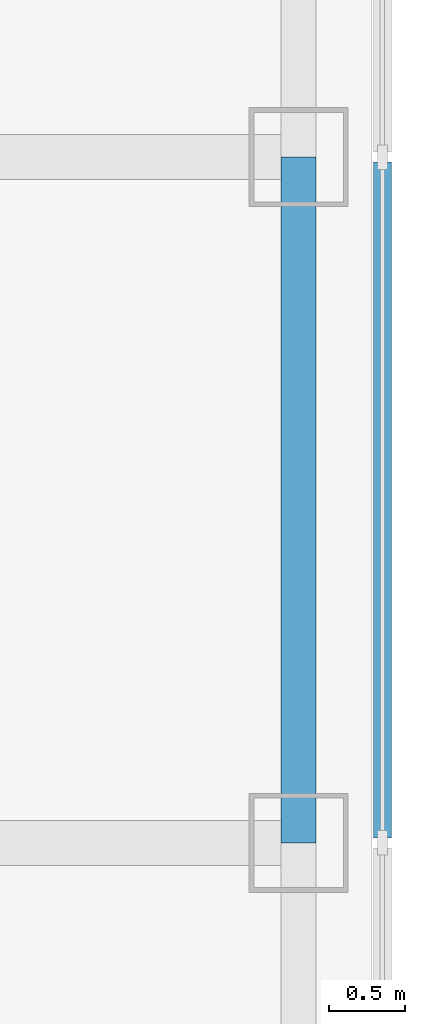
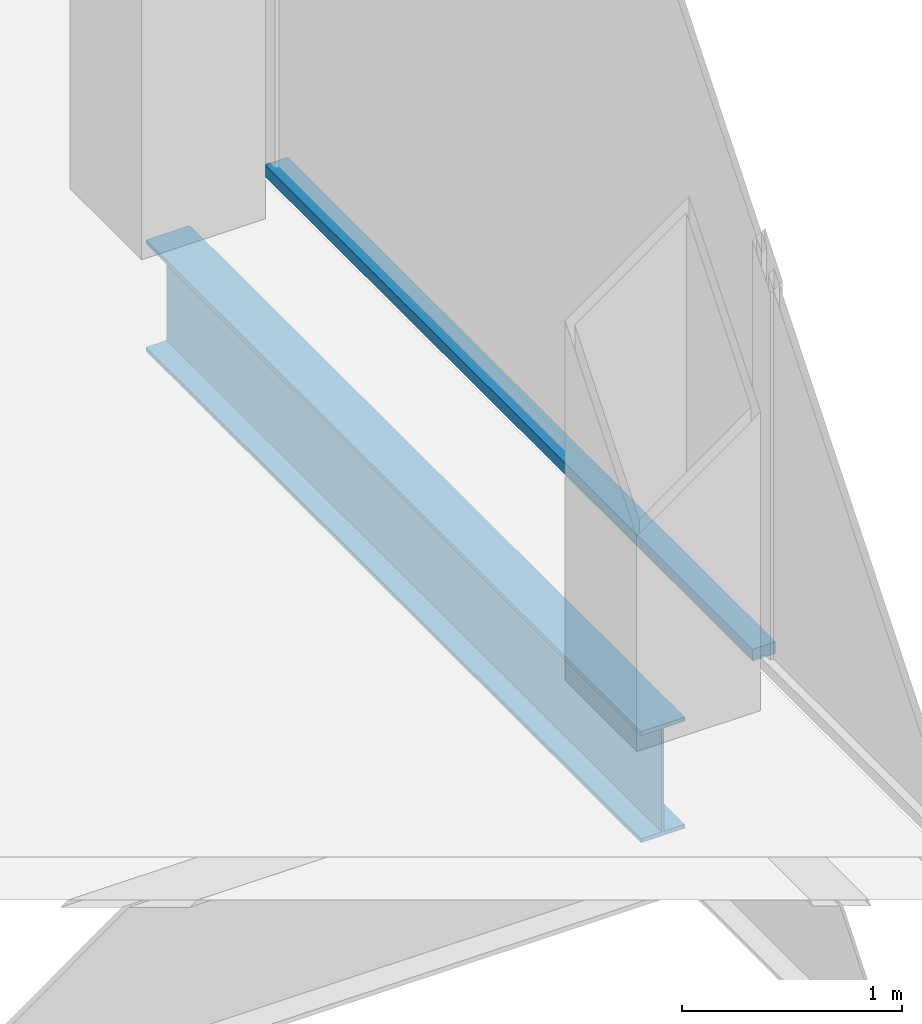
# One storey, part 5 of 14: 1 beam, 1 member, 1 element without a shape of its own.
"""IFC4 building model written with IfcOpenShell, lengths in metres."""

from ifc_helpers import new_model, si_unit, direction, frame, origin, origin_2d, place, context, subcontext, project, spatial, rectangle, i_section, extrude, material, material_profile, profile_set, type_object, element, aggregate, save


model = new_model("IFC4")

# Units and contexts
model_context = context("Model", 3, precision=1e-05, world=origin(), true_north=direction((0.0, 1.0)))
body_context = subcontext(model_context, "Body", "Model", "MODEL_VIEW")
ifc_project = project(units=[si_unit("LENGTHUNIT", "METRE"), si_unit("AREAUNIT", "SQUARE_METRE"), si_unit("VOLUMEUNIT", "CUBIC_METRE"), si_unit("PLANEANGLEUNIT", "RADIAN"), si_unit("MASSUNIT", "GRAM", prefix="KILO")], contexts=[model_context])

# Site, building, storey
site_placement = place(None, origin())
site = spatial("IfcSite", under=ifc_project, at=site_placement, CompositionType="ELEMENT")
building_placement = place(site_placement, origin())
building = spatial("IfcBuilding", under=site, at=building_placement, Name="Corais Broadcast Tower", CompositionType="ELEMENT")
storey_placement = place(building_placement, frame((0.0, 0.0, 254.60009765625)))
storey = spatial("IfcBuildingStorey", under=building, at=storey_placement, Name="L59", CompositionType="ELEMENT", Elevation=254.60009765625)

# Beam
ifc_material_1 = material(Name="Steel ASTM A572 Grade 50", Category="steel")
ifc_material_profile_1 = material_profile(ifc_material_1, i_section(OverallWidth=0.22998046875, OverallDepth=0.616943359375, WebThickness=0.01318359375, FlangeThickness=0.022216796875, at=origin_2d()), Name="W610x140")
ifc_profile_set_1 = profile_set([ifc_material_profile_1], Name="Steel ASTM A572 Grade 50")
beam_type = type_object("IfcBeamType", Name="Spandrel W610x140", PredefinedType="BEAM", material=ifc_profile_set_1)
beam_placement = place(storey_placement, frame((54.0, 27.0, -0.468505859375), z_axis=(0.0, 1.0, 0.0), x_axis=(-1.0, 0.0, 0.0)))
element("IfcBeam", 1, at=beam_placement, inside=storey, type_object=beam_type, Name="SB3 G/15 to H/15", PredefinedType="BEAM", context=body_context, shape_type="SweptSolid", body=[
    extrude(i_section(OverallWidth=0.22998046875, OverallDepth=0.616943359375, WebThickness=0.01318359375, FlangeThickness=0.022216796875, at=origin_2d()), origin(), (0.0, 0.0, 1.0), 4.5),
])

# Curtain wall, member
ifc_material_2 = material(Name="Aluminium and glass", Category="aluminium")
curtain_wall_type = type_object("IfcCurtainWallType", Name="Unitised fritted curtain wall CW3", PredefinedType="NOTDEFINED", material=ifc_material_2)
curtain_wall_placement = place(storey_placement, origin())
curtain_wall = element("IfcCurtainWall", 2, at=curtain_wall_placement, inside=storey, type_object=curtain_wall_type, Name="CW3 curtain wall L59 6", PredefinedType="NOTDEFINED")
ifc_material_3 = material(Name="Aluminium 6063-T6", Category="aluminium")
ifc_material_profile_2 = material_profile(ifc_material_3, rectangle(XDim=0.1201171875, YDim=0.06494140625, at=origin_2d()), Name="Transom CW3 65x120")
ifc_profile_set_2 = profile_set([ifc_material_profile_2], Name="Aluminium 6063-T6")
member_type = type_object("IfcMemberType", Name="Transom CW3 65x120", PredefinedType="USERDEFINED", material=ifc_profile_set_2)
member_placement = place(storey_placement, frame((54.550048828125, 31.467529296875, 0.032470703125), z_axis=(0.0, -1.0, 0.0), x_axis=(1.0, 0.0, 0.0)))
member = element("IfcMember", 3, at=member_placement, type_object=member_type, Name="CW3 transom 3.1", ObjectType="TRANSOM", PredefinedType="USERDEFINED", context=body_context, shape_type="SweptSolid", body=[
    extrude(rectangle(XDim=0.1201171875, YDim=0.06494140625, at=origin_2d()), origin(), (0.0, 0.0, 1.0), 4.43505859375),
])
aggregate(curtain_wall, [member])

save(model, "model.ifc")
